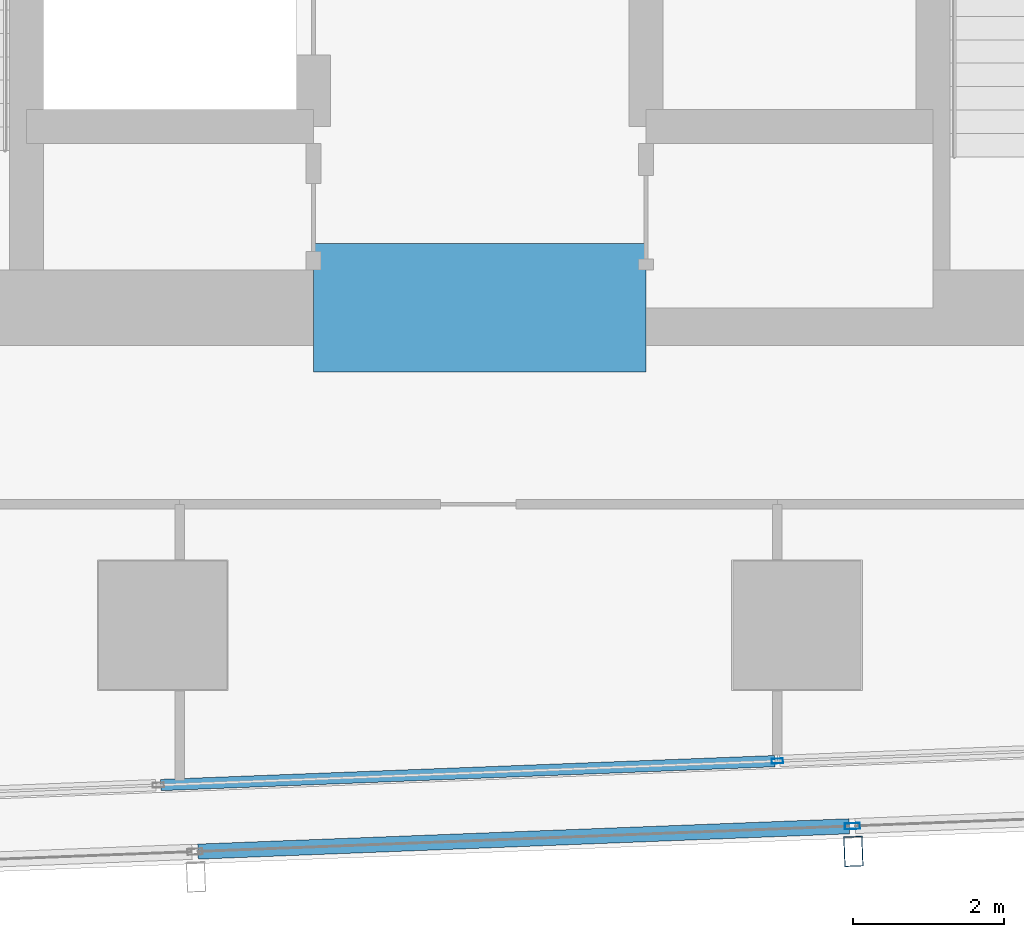
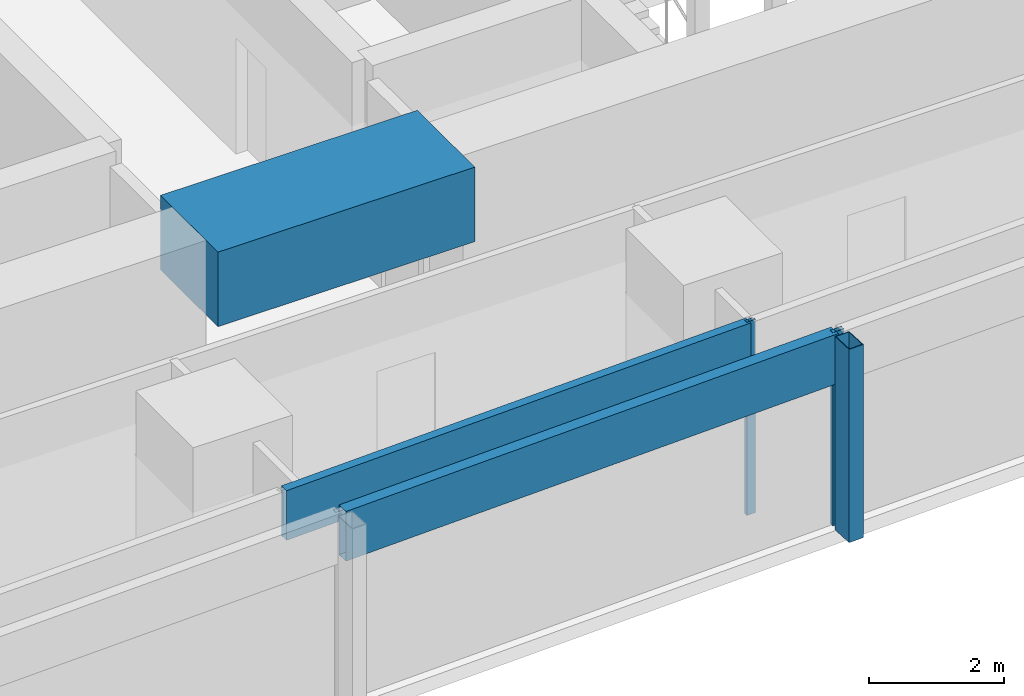
# One storey, part 9 of 40: 5 members, 1 beam, 2 elements without a shape of their own.
"""IFC4 building model written with IfcOpenShell, lengths in metres."""

from ifc_helpers import new_model, si_unit, direction, frame, origin, origin_2d, place, context, subcontext, project, spatial, rectangle, hollow_rectangle, extrude, material, material_profile, profile_set, type_object, element, aggregate, save


model = new_model("IFC4")

# Units and contexts
model_context = context("Model", 3, precision=1e-05, world=origin(), true_north=direction((0.0, 1.0)))
body_context = subcontext(model_context, "Body", "Model", "MODEL_VIEW")
ifc_project = project(units=[si_unit("LENGTHUNIT", "METRE"), si_unit("AREAUNIT", "SQUARE_METRE"), si_unit("VOLUMEUNIT", "CUBIC_METRE"), si_unit("PLANEANGLEUNIT", "RADIAN"), si_unit("MASSUNIT", "GRAM", prefix="KILO")], contexts=[model_context])

# Site, building, storey
site_placement = place(None, origin())
site = spatial("IfcSite", under=ifc_project, at=site_placement, CompositionType="ELEMENT")
building_placement = place(site_placement, origin())
building = spatial("IfcBuilding", under=site, at=building_placement, Name="Rekha Terrace Tower", CompositionType="ELEMENT")
storey_placement = place(building_placement, frame((0.0, 0.0, 136.550048828125)))
storey = spatial("IfcBuildingStorey", under=building, at=storey_placement, Name="L34", CompositionType="ELEMENT", Elevation=136.550048828125)

# Curtain wall, member
ifc_material_1 = material(Name="Aluminium framing", Category="aluminium")
curtain_wall_type_1 = type_object("IfcCurtainWallType", Name="CW2 double skin outer glazing", PredefinedType="USERDEFINED", material=ifc_material_1)
curtain_wall_1_placement = place(storey_placement, origin())
curtain_wall_1 = element("IfcCurtainWall", 1, at=curtain_wall_1_placement, inside=storey, type_object=curtain_wall_type_1, Name="CW2 double skin outer glazing", ObjectType="DOUBLE SKIN OUTER GLAZING", PredefinedType="USERDEFINED")
ifc_material_2 = material(Name="Steel S355 with fluorocarbon finish", Category="steel")
ifc_material_profile_1 = material_profile(ifc_material_2, hollow_rectangle(XDim=0.25, YDim=0.39990234375, WallThickness=0.012451171875, at=origin_2d()), Name="RHS400x250x12.5")
ifc_profile_set_1 = profile_set([ifc_material_profile_1], Name="Steel S355 with fluorocarbon finish")
member_type_1 = type_object("IfcMemberType", Name="BL1 facade blade RHS 400 x 250", PredefinedType="USERDEFINED", material=ifc_profile_set_1)
member_1_placement = place(storey_placement, frame((42.747314453125, 13.802978515625, 0.0), z_axis=(0.0, 0.0, 1.0), x_axis=(0.999243494356, 0.038890088543, 0.0)))
member_1 = element("IfcMember", 2, at=member_1_placement, type_object=member_type_1, Name="Facade blade", ObjectType="FACADE BLADE", PredefinedType="USERDEFINED", context=body_context, shape_type="SweptSolid", body=[
    extrude(hollow_rectangle(XDim=0.25, YDim=0.39990234375, WallThickness=0.012451171875, at=origin_2d()), origin(), (0.0, 0.0, 1.0), 3.5),
])

# Curtain wall, members
curtain_wall_type_2 = type_object("IfcCurtainWallType", Name="CW1 double skin inner glazing", PredefinedType="USERDEFINED", material=ifc_material_1)
curtain_wall_2_placement = place(storey_placement, origin())
curtain_wall_2 = element("IfcCurtainWall", 3, at=curtain_wall_2_placement, inside=storey, type_object=curtain_wall_type_2, Name="CW1 double skin inner glazing", ObjectType="DOUBLE SKIN INNER GLAZING", PredefinedType="USERDEFINED")
ifc_material_3 = material(Name="Aluminium mullion section", Category="aluminium")
ifc_material_profile_2 = material_profile(ifc_material_3, hollow_rectangle(XDim=0.06494140625, YDim=0.14990234375, WallThickness=0.00390625, at=origin_2d()), Name="AL RHS 65x150")
ifc_profile_set_2 = profile_set([ifc_material_profile_2], Name="Aluminium mullion section")
member_type_2 = type_object("IfcMemberType", Name="CW1 mullion RHS 65 x 150", PredefinedType="MULLION", material=ifc_profile_set_2)
member_2_placement = place(storey_placement, frame((41.740234375, 14.999755859375, 0.0), z_axis=(0.0, 0.0, 1.0), x_axis=(-0.038889971345, 0.999243498917, 0.0)))
member_2 = element("IfcMember", 4, at=member_2_placement, type_object=member_type_2, Name="CW1 mullion 3", PredefinedType="MULLION", context=body_context, shape_type="SweptSolid", body=[
    extrude(hollow_rectangle(XDim=0.06494140625, YDim=0.14990234375, WallThickness=0.00390625, at=origin_2d()), origin(), (0.0, 0.0, 1.0), 3.5),
])
ifc_material_4 = material(Name="Insulated aluminium spandrel box", Category="aluminium")
ifc_material_profile_3 = material_profile(ifc_material_4, hollow_rectangle(XDim=0.14990234375, YDim=0.89990234375, WallThickness=0.0029296875, at=origin_2d()), Name="AL SPANDREL BOX 150x900")
ifc_profile_set_3 = profile_set([ifc_material_profile_3], Name="Insulated aluminium spandrel box")
member_type_3 = type_object("IfcMemberType", Name="CW1 spandrel transom 150 x 900", PredefinedType="USERDEFINED", material=ifc_profile_set_3)
member_3_placement = place(storey_placement, frame((33.576416015625, 14.68212890625, 3.050048828125), z_axis=(0.999243790362, 0.038882482205, 0.0), x_axis=(-0.038882482205, 0.999243790362, 0.0)))
member_3 = element("IfcMember", 5, at=member_3_placement, type_object=member_type_3, Name="CW1 spandrel transom 2", ObjectType="TRANSOM", PredefinedType="USERDEFINED", context=body_context, shape_type="SweptSolid", body=[
    extrude(hollow_rectangle(XDim=0.14990234375, YDim=0.89990234375, WallThickness=0.0029296875, at=origin_2d()), origin(), (0.0, 0.0, 1.0), 8.137451171875),
])
aggregate(curtain_wall_2, [member_2, member_3])

# Member
ifc_material_profile_4 = material_profile(ifc_material_3, hollow_rectangle(XDim=0.080078125, YDim=0.199951171875, WallThickness=0.00390625, at=origin_2d()), Name="AL RHS 80x200")
ifc_profile_set_4 = profile_set([ifc_material_profile_4], Name="Aluminium mullion section")
member_type_4 = type_object("IfcMemberType", Name="CW2 mullion RHS 80 x 200", PredefinedType="MULLION", material=ifc_profile_set_4)
member_4_placement = place(storey_placement, frame((42.734130859375, 14.137939453125, 0.0), z_axis=(0.0, 0.0, 1.0), x_axis=(-0.038889971345, 0.999243498917, 0.0)))
member_4 = element("IfcMember", 6, at=member_4_placement, type_object=member_type_4, Name="CW2 mullion 3", PredefinedType="MULLION", context=body_context, shape_type="SweptSolid", body=[
    extrude(hollow_rectangle(XDim=0.080078125, YDim=0.199951171875, WallThickness=0.00390625, at=origin_2d()), origin(), (0.0, 0.0, 1.0), 3.5),
])

ifc_material_profile_5 = material_profile(ifc_material_4, hollow_rectangle(XDim=0.199951171875, YDim=0.89990234375, WallThickness=0.0029296875, at=origin_2d()), Name="AL SPANDREL BOX 200x900")
ifc_profile_set_5 = profile_set([ifc_material_profile_5], Name="Insulated aluminium spandrel box")
member_type_5 = type_object("IfcMemberType", Name="CW2 spandrel transom 200 x 900", PredefinedType="USERDEFINED", material=ifc_profile_set_5)
member_5_placement = place(storey_placement, frame((34.069091796875, 13.800537109375, 3.050048828125), z_axis=(0.999243438523, 0.038891523097, 0.0), x_axis=(-0.038891523097, 0.999243438523, 0.0)))
member_5 = element("IfcMember", 7, at=member_5_placement, type_object=member_type_5, Name="CW2 spandrel transom 2", ObjectType="TRANSOM", PredefinedType="USERDEFINED", context=body_context, shape_type="SweptSolid", body=[
    extrude(hollow_rectangle(XDim=0.199951171875, YDim=0.89990234375, WallThickness=0.0029296875, at=origin_2d()), origin(), (0.0, 0.0, 1.0), 8.631591796875),
])

aggregate(curtain_wall_1, [member_4, member_5, member_1])

# Beam
ifc_material_5 = material(Name="Concrete M70", Category="concrete")
ifc_material_profile_6 = material_profile(ifc_material_5, rectangle(XDim=1.699951171875, YDim=1.35009765625, at=origin_2d()), Name="RC 1700x1350")
ifc_profile_set_6 = profile_set([ifc_material_profile_6], Name="Concrete M70")
beam_type = type_object("IfcBeamType", Name="LB2A 1700x1350 diagonally reinforced coupling beam", PredefinedType="LINTEL", material=ifc_profile_set_6)
beam_placement = place(storey_placement, frame((35.60009765625, 21.0, 3.074951171875), z_axis=(1.0, 0.0, 0.0), x_axis=(0.0, 1.0, 0.0)))
element("IfcBeam", 8, at=beam_placement, inside=storey, type_object=beam_type, Name="Coupling beam LB2A S L34", PredefinedType="LINTEL", context=body_context, shape_type="SweptSolid", body=[
    extrude(rectangle(XDim=1.699951171875, YDim=1.35009765625, at=origin_2d()), origin(), (0.0, 0.0, 1.0), 4.39990234375),
])

save(model, "model.ifc")
